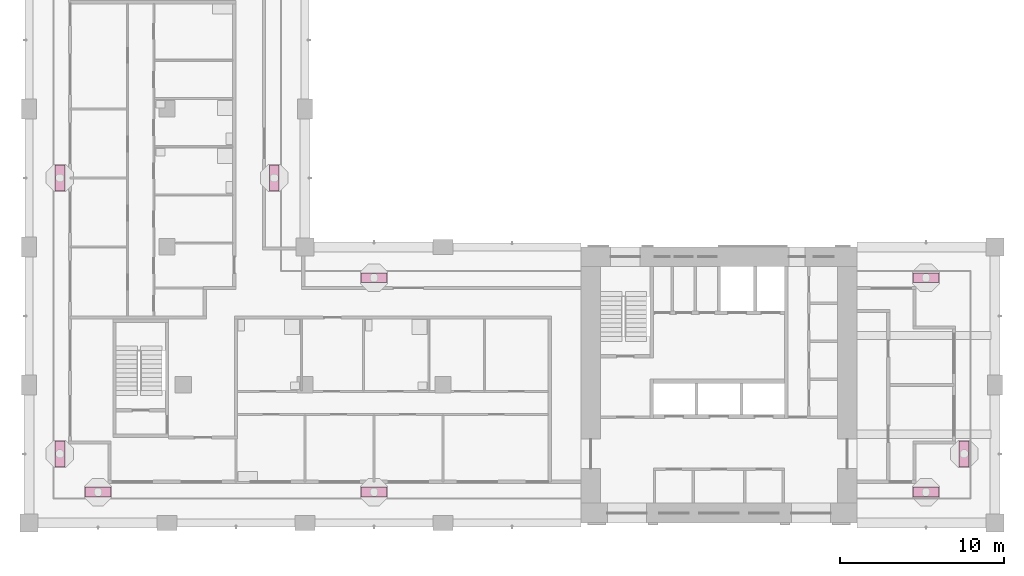
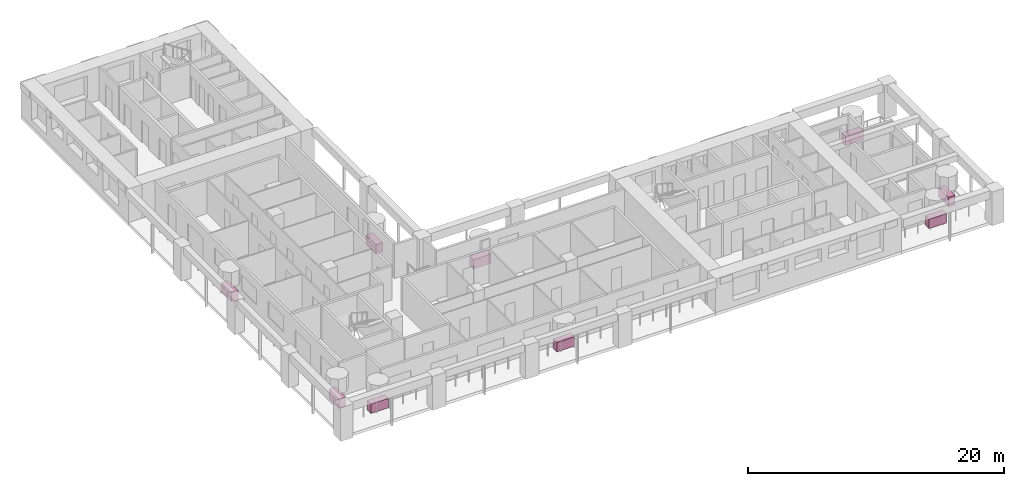
# One storey, part 12 of 13: 9 furniture elements.
"""IFC4 building model written with IfcOpenShell, lengths in metres."""

from ifc_helpers import new_model, si_unit, direction, frame, origin, origin_2d, place, context, subcontext, project, spatial, rectangle, extrude, material, element, save


model = new_model("IFC4")

# Units and contexts
model_context = context("Model", 3, precision=1e-05, world=origin(), true_north=direction((0.0, 1.0)))
body_context = subcontext(model_context, "Body", "Model", "MODEL_VIEW")
ifc_project = project(units=[si_unit("LENGTHUNIT", "METRE"), si_unit("AREAUNIT", "SQUARE_METRE"), si_unit("VOLUMEUNIT", "CUBIC_METRE"), si_unit("PLANEANGLEUNIT", "RADIAN"), si_unit("MASSUNIT", "GRAM", prefix="KILO")], contexts=[model_context])

# Site, building, storey
site_placement = place(None, origin())
site = spatial("IfcSite", under=ifc_project, at=site_placement, CompositionType="ELEMENT")
building_placement = place(site_placement, origin())
building = spatial("IfcBuilding", under=site, at=building_placement, Name="Vermilion Gate Residences", CompositionType="ELEMENT")
storey_placement = place(building_placement, frame((0.0, 0.0, 165.199951171875)))
storey = spatial("IfcBuildingStorey", under=building, at=storey_placement, Name="L42", CompositionType="ELEMENT", Elevation=165.199951171875)

# Furniture
ifc_material = material(Name="Terracotta planter", Category="masonry")
for number, where, z_axis, x_axis, name in (
    (1, (12.60009765625, 10.27490234375, 0.0), (0.0, 0.0, 1.0), (1.0, 0.0, 0.0), "PLANTER"),
    (2, (29.39990234375, 10.27490234375, 0.0), (0.0, 0.0, 1.0), (1.0, 0.0, 0.0), "PLANTER"),
    (3, (63.0, 10.27490234375, 0.0), (0.0, 0.0, 1.0), (1.0, 0.0, 0.0), "PLANTER"),
    (4, (65.324951171875, 12.60009765625, 0.0), (0.0, 0.0, 1.0), (0.0, 1.0, 0.0), "PLANTER"),
    (5, (29.39990234375, 23.324951171875, 0.0), (0.0, 0.0, 1.0), (-1.0, 0.0, 0.0), "PLANTER"),
    (6, (63.0, 23.324951171875, 0.0), (0.0, 0.0, 1.0), (-1.0, 0.0, 0.0), "PLANTER"),
    (7, (23.324951171875, 29.39990234375, 0.0), (0.0, 0.0, 1.0), (0.0, 1.0, 0.0), "PLANTER"),
    (8, (10.27490234375, 12.60009765625, 0.0), (0.0, 0.0, 1.0), (0.0, -1.0, 0.0), "PLANTER"),
    (9, (10.27490234375, 29.39990234375, 0.0), (0.0, 0.0, 1.0), (0.0, -1.0, 0.0), "PLANTER"),
):
    element("IfcFurniture", number, at=place(storey_placement, frame(where, z_axis=z_axis, x_axis=x_axis)), inside=storey, material=ifc_material, Name=name, ObjectType="PLANTER", PredefinedType="USERDEFINED", context=body_context, shape_type="SweptSolid", body=[
        extrude(rectangle(XDim=1.60009765625, YDim=0.60009765625, at=origin_2d()), origin(), (0.0, 0.0, 1.0), 0.89990234375),
    ])

save(model, "model.ifc")
